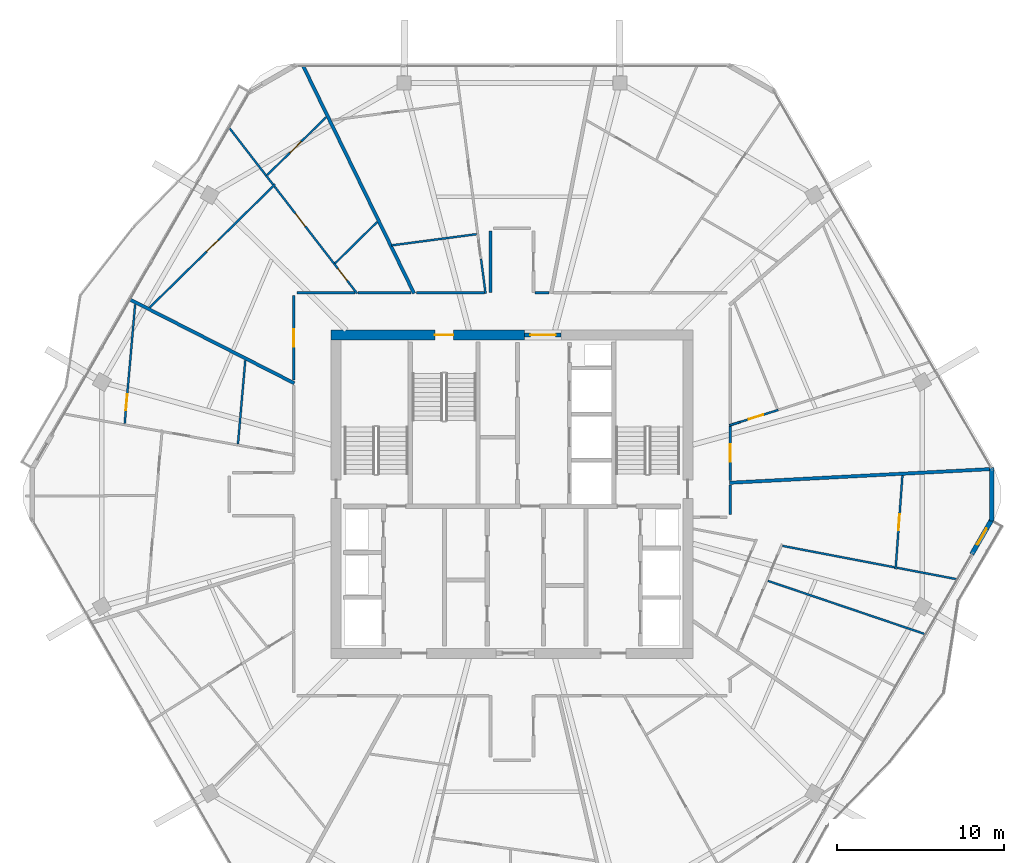
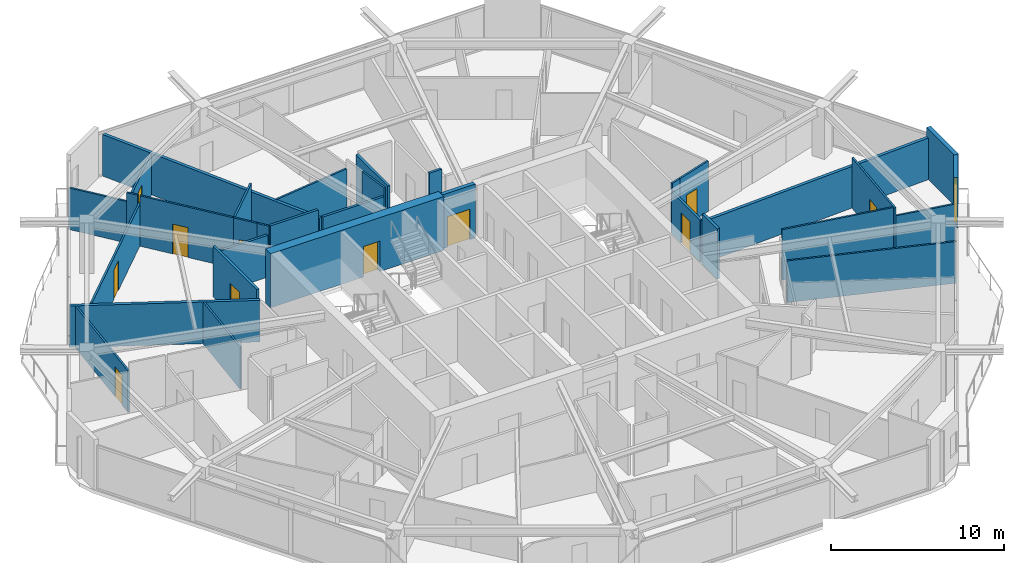
# One storey, part 21 of 26: 33 walls, 12 doors, 12 openings.
"""IFC4 building model written with IfcOpenShell, lengths in metres."""

from ifc_helpers import new_model, si_unit, direction, frame, frame_2d, origin, place, context, subcontext, project, spatial, rectangle, extrude, material, layer, layer_set, type_object, element, fill, save


model = new_model("IFC4")

# Units and contexts
model_context = context("Model", 3, precision=1e-05, world=origin(), true_north=direction((0.0, 1.0)))
body_context = subcontext(model_context, "Body", "Model", "MODEL_VIEW")
ifc_project = project(units=[si_unit("LENGTHUNIT", "METRE"), si_unit("AREAUNIT", "SQUARE_METRE"), si_unit("VOLUMEUNIT", "CUBIC_METRE"), si_unit("PLANEANGLEUNIT", "RADIAN"), si_unit("MASSUNIT", "GRAM", prefix="KILO")], contexts=[model_context])

# Site, building, storey
site_placement = place(None, origin())
site = spatial("IfcSite", under=ifc_project, at=site_placement, CompositionType="ELEMENT")
building_placement = place(site_placement, origin())
building = spatial("IfcBuilding", under=site, at=building_placement, Name="Zuhravey Tower", CompositionType="ELEMENT")
storey_placement = place(building_placement, frame((0.0, 0.0, 280.60009765625)))
storey = spatial("IfcBuildingStorey", under=building, at=storey_placement, Name="L71", CompositionType="ELEMENT", Elevation=280.60009765625)

# Wall, opening, door
ifc_material_1 = material(Name="Concrete C50/60", Category="concrete")
ifc_layer_1 = layer(ifc_material_1, 0.60009765625)
ifc_layer_set_1 = layer_set([ifc_layer_1], Name="Concrete C50/60")
wall_type_1 = type_object("IfcWallType", Name="Core Shear Wall 600", PredefinedType="SHEAR", material=ifc_layer_set_1)
wall_1_placement = place(storey_placement, frame((36.75, 41.5, 0.0), z_axis=(0.0, 0.0, 1.0), x_axis=(-1.0, 0.0, 0.0)))
wall_1 = element("IfcWall", 1, at=wall_1_placement, inside=storey, type_object=wall_type_1, Name="L71 North-West Core Shear Wall CW60", PredefinedType="SHEAR", context=body_context, shape_type="SweptSolid", body=[
    extrude(rectangle(XDim=11.550048828125, YDim=0.60009765625, at=frame_2d((5.77490234375, 0.0))), origin(), (0.0, 0.0, 1.0), 3.7998046875),
])
opening_1_placement = place(wall_1_placement, frame((4.25, 0.0, 0.0)))
opening_1 = element("IfcOpeningElement", 2, at=opening_1_placement, cuts=wall_1, Name="Opening STD1", PredefinedType="OPENING", context=body_context, shape_type="SweptSolid", body=[
    extrude(rectangle(XDim=1.10009765625, YDim=2.14990234375, at=frame_2d((0.550048828125, 1.074951171875))), frame((0.0, 0.31201171875, 0.0), z_axis=(0.0, -1.0, 0.0), x_axis=(1.0, 0.0, 0.0)), (0.0, 0.0, 1.0), 0.6240234375),
])
ifc_material_2 = material(Name="Galvanised fire-rated steel leaf", Category="steel")
door_type_1 = type_object("IfcDoorType", Name="Protected Stair Fire Door 1100x2150", OperationType="NOTDEFINED", PredefinedType="USERDEFINED", material=ifc_material_2)
door_1_placement = place(opening_1_placement, origin())
door_1 = element("IfcDoor", 3, at=door_1_placement, inside=storey, type_object=door_type_1, Name="L71 Stair ST3 Door", ObjectType="EXITDOOR", OperationType="SINGLE_SWING_LEFT", OverallHeight=2.14990234375, OverallWidth=1.10009765625, PredefinedType="USERDEFINED", context=body_context, shape_type="SweptSolid", body=[
    extrude(rectangle(XDim=1.10009765625, YDim=2.14990234375, at=frame_2d((0.550048828125, 1.074951171875))), frame((0.0, 0.02490234375, 0.0), z_axis=(0.0, -1.0, 0.0), x_axis=(1.0, 0.0, 0.0)), (0.0, 0.0, 1.0), 0.050048828125),
])
fill(opening_1, door_1)

ifc_material_3 = material(Name="Gypsum fire-rated stud partition")
ifc_layer_2 = layer(ifc_material_3, 0.159912109375)
ifc_layer_set_2 = layer_set([ifc_layer_2], Name="Gypsum fire-rated stud partition")
wall_type_2 = type_object("IfcWallType", Name="Corridor Fire Partition 160", PredefinedType="PARTITIONING", material=ifc_layer_set_2)
wall_2_placement = place(storey_placement, frame((49.030029296875, 32.81689453125, 0.0), z_axis=(0.0, 0.0, 1.0), x_axis=(0.0, 1.0, 0.0)))
wall_2 = element("IfcWall", 4, at=wall_2_placement, inside=storey, type_object=wall_type_2, Name="L71 IW16 Partition 050", PredefinedType="PARTITIONING", context=body_context, shape_type="SweptSolid", body=[
    extrude(rectangle(XDim=3.285400390625, YDim=0.159912109375, at=frame_2d((1.642578125, 0.0))), origin(), (0.0, 0.0, 1.0), 2.949951171875),
])
opening_2_placement = place(wall_2_placement, frame((1.11767578125, 0.0, 0.0)))
opening_2 = element("IfcOpeningElement", 5, at=opening_2_placement, cuts=wall_2, Name="Opening APD1", PredefinedType="OPENING", context=body_context, shape_type="SweptSolid", body=[
    extrude(rectangle(XDim=1.050048828125, YDim=2.14990234375, at=frame_2d((0.52490234375, 1.074951171875))), frame((0.0, 0.092041015625, 0.0), z_axis=(0.0, -1.0, 0.0), x_axis=(1.0, 0.0, 0.0)), (0.0, 0.0, 1.0), 0.183837890625),
])
ifc_material_4 = material(Name="Solid-core oak fire-rated leaf")
door_type_2 = type_object("IfcDoorType", Name="Apartment Entrance Fire Door 1050x2150", OperationType="NOTDEFINED", PredefinedType="DOOR", material=ifc_material_4)
door_2_placement = place(opening_2_placement, frame((1.050048828125, 0.0, 0.0), z_axis=(0.0, 0.0, 1.0), x_axis=(-1.0, 0.0, 0.0)))
door_2 = element("IfcDoor", 6, at=door_2_placement, inside=storey, type_object=door_type_2, Name="L71 Door 050.1", OperationType="SINGLE_SWING_LEFT", OverallHeight=2.14990234375, OverallWidth=1.050048828125, PredefinedType="DOOR", context=body_context, shape_type="SweptSolid", body=[
    extrude(rectangle(XDim=1.050048828125, YDim=2.14990234375, at=frame_2d((0.52490234375, 1.074951171875))), frame((0.0, 0.02490234375, 0.0), z_axis=(0.0, -1.0, 0.0), x_axis=(1.0, 0.0, 0.0)), (0.0, 0.0, 1.0), 0.050048828125),
])
fill(opening_2, door_2)

wall_3_placement = place(storey_placement, frame((22.969970703125, 43.85009765625, 0.0), z_axis=(0.0, 0.0, 1.0), x_axis=(0.0, -1.0, 0.0)))
wall_3 = element("IfcWall", 7, at=wall_3_placement, inside=storey, type_object=wall_type_2, Name="L71 IW16 Partition 065", PredefinedType="PARTITIONING", context=body_context, shape_type="SweptSolid", body=[
    extrude(rectangle(XDim=5.044677734375, YDim=0.159912109375, at=frame_2d((2.5224609375, 0.0))), origin(), (0.0, 0.0, 1.0), 3.5498046875),
])
opening_3_placement = place(wall_3_placement, frame((1.997314453125, 0.0, 0.0)))
opening_3 = element("IfcOpeningElement", 8, at=opening_3_placement, cuts=wall_3, Name="Opening APD1", PredefinedType="OPENING", context=body_context, shape_type="SweptSolid", body=[
    extrude(rectangle(XDim=1.050048828125, YDim=2.14990234375, at=frame_2d((0.52490234375, 1.074951171875))), frame((0.0, 0.092041015625, 0.0), z_axis=(0.0, -1.0, 0.0), x_axis=(1.0, 0.0, 0.0)), (0.0, 0.0, 1.0), 0.183837890625),
])
door_3_placement = place(opening_3_placement, frame((1.050048828125, 0.0, 0.0), z_axis=(0.0, 0.0, 1.0), x_axis=(-1.0, 0.0, 0.0)))
door_3 = element("IfcDoor", 9, at=door_3_placement, inside=storey, type_object=door_type_2, Name="L71 Door 065.1", OperationType="SINGLE_SWING_LEFT", OverallHeight=2.14990234375, OverallWidth=1.050048828125, PredefinedType="DOOR", context=body_context, shape_type="SweptSolid", body=[
    extrude(rectangle(XDim=1.050048828125, YDim=2.14990234375, at=frame_2d((0.52490234375, 1.074951171875))), frame((0.0, 0.02490234375, 0.0), z_axis=(0.0, -1.0, 0.0), x_axis=(1.0, 0.0, 0.0)), (0.0, 0.0, 1.0), 0.050048828125),
])
fill(opening_3, door_3)

# Walls
wall_4_placement = place(storey_placement, frame((49.030029296875, 30.80078125, 0.0), z_axis=(0.0, 0.0, 1.0), x_axis=(0.0, 1.0, 0.0)))
element("IfcWall", 10, at=wall_4_placement, inside=storey, type_object=wall_type_2, Name="L71 IW16 Partition 129", PredefinedType="PARTITIONING", context=body_context, shape_type="SweptSolid", body=[
    extrude(rectangle(XDim=1.748046875, YDim=0.159912109375, at=frame_2d((0.8740234375, 0.0))), origin(), (0.0, 0.0, 1.0), 3.5498046875),
])
wall_5_placement = place(storey_placement, frame((34.719970703125, 47.699951171875, 0.0), z_axis=(0.0, 0.0, 1.0), x_axis=(0.0, -1.0, 0.0)))
element("IfcWall", 11, at=wall_5_placement, inside=storey, type_object=wall_type_2, Name="L71 IW16 Partition 132", PredefinedType="PARTITIONING", context=body_context, shape_type="SweptSolid", body=[
    extrude(rectangle(XDim=3.669921875, YDim=0.159912109375, at=frame_2d((1.8349609375, 0.0))), origin(), (0.0, 0.0, 1.0), 3.5498046875),
])
wall_6_placement = place(storey_placement, frame((38.209228515625, 44.030029296875, 0.0), z_axis=(0.0, 0.0, 1.0), x_axis=(-1.0, 0.0, 0.0)))
element("IfcWall", 12, at=wall_6_placement, inside=storey, type_object=wall_type_2, Name="L71 IW16 Partition 134", PredefinedType="PARTITIONING", context=body_context, shape_type="SweptSolid", body=[
    extrude(rectangle(XDim=0.84130859375, YDim=0.159912109375, at=frame_2d((0.420654296875, 0.0))), origin(), (0.0, 0.0, 1.0), 3.5498046875),
])
wall_7_placement = place(storey_placement, frame((34.34765625, 44.030029296875, 0.0), z_axis=(0.0, 0.0, 1.0), x_axis=(-1.0, 0.0, 0.0)))
element("IfcWall", 13, at=wall_7_placement, inside=storey, type_object=wall_type_2, Name="L71 IW16 Partition 135", PredefinedType="PARTITIONING", context=body_context, shape_type="SweptSolid", body=[
    extrude(rectangle(XDim=4.0634765625, YDim=0.159912109375, at=frame_2d((2.03173828125, 0.0))), origin(), (0.0, 0.0, 1.0), 2.949951171875),
])
wall_8_placement = place(storey_placement, frame((26.629638671875, 44.030029296875, 0.0), z_axis=(0.0, 0.0, 1.0), x_axis=(-1.0, 0.0, 0.0)))
element("IfcWall", 14, at=wall_8_placement, inside=storey, type_object=wall_type_2, Name="L71 IW16 Partition 136", PredefinedType="PARTITIONING", context=body_context, shape_type="SweptSolid", body=[
    extrude(rectangle(XDim=3.479736328125, YDim=0.159912109375, at=frame_2d((1.73974609375, 0.0))), origin(), (0.0, 0.0, 1.0), 2.949951171875),
])
wall_9_placement = place(storey_placement, frame((29.979736328125, 44.030029296875, 0.0), z_axis=(0.0, 0.0, 1.0), x_axis=(-1.0, 0.0, 0.0)))
element("IfcWall", 15, at=wall_9_placement, inside=storey, type_object=wall_type_2, Name="L71 IW16 Partition 137", PredefinedType="PARTITIONING", context=body_context, shape_type="SweptSolid", body=[
    extrude(rectangle(XDim=3.17822265625, YDim=0.159912109375, at=frame_2d((1.589111328125, 0.0))), origin(), (0.0, 0.0, 1.0), 3.5498046875),
])

# Wall, opening, door
ifc_material_5 = material(Name="Precast concrete C40/50", Category="concrete")
ifc_layer_3 = layer(ifc_material_5, 0.280029296875)
ifc_layer_set_3 = layer_set([ifc_layer_3], Name="Precast concrete C40/50")
wall_type_3 = type_object("IfcWallType", Name="Crown Architectural Wall 280", PredefinedType="SOLIDWALL", material=ifc_layer_set_3)
wall_10_placement = place(storey_placement, frame((64.66748046875, 30.526611328125, 0.0), z_axis=(0.0, 0.0, 1.0), x_axis=(-0.499959183527, -0.866048967903, 0.0)))
wall_10 = element("IfcWall", 16, at=wall_10_placement, inside=storey, type_object=wall_type_3, Name="L71 Face 6 Facade Pier EW28-1", PredefinedType="SOLIDWALL", context=body_context, shape_type="SweptSolid", body=[
    extrude(rectangle(XDim=2.440185546875, YDim=0.280029296875, at=frame_2d((1.22021484375, 0.0))), origin(), (0.0, 0.0, 1.0), 3.5498046875),
])
opening_4_placement = place(wall_10_placement, frame((0.669921875, 0.0, 0.0)))
opening_4 = element("IfcOpeningElement", 17, at=opening_4_placement, cuts=wall_10, Name="Opening BLD1", PredefinedType="OPENING", context=body_context, shape_type="SweptSolid", body=[
    extrude(rectangle(XDim=1.10009765625, YDim=2.199951171875, at=frame_2d((0.550048828125, 1.10009765625))), frame((0.0, 0.152099609375, 0.0), z_axis=(0.0, -1.0, 0.0), x_axis=(1.0, 0.0, 0.0)), (0.0, 0.0, 1.0), 0.303955078125),
])
ifc_material_6 = material(Name="Thermally broken aluminium and low-E glass", Category="aluminium")
door_type_3 = type_object("IfcDoorType", Name="Balcony & Sky-Tray Glazed Door 1100x2200", OperationType="NOTDEFINED", PredefinedType="DOOR", material=ifc_material_6)
door_4_placement = place(opening_4_placement, frame((1.10009765625, 0.0, 0.0), z_axis=(0.0, 0.0, 1.0), x_axis=(-1.0, 0.0, 0.0)))
door_4 = element("IfcDoor", 18, at=door_4_placement, inside=storey, type_object=door_type_3, Name="L71 Face 6 Wave Balcony Door", OperationType="SINGLE_SWING_LEFT", OverallHeight=2.199951171875, OverallWidth=1.10009765625, PredefinedType="DOOR", context=body_context, shape_type="SweptSolid", body=[
    extrude(rectangle(XDim=1.10009765625, YDim=2.199951171875, at=frame_2d((0.550048828125, 1.10009765625))), frame((0.0, 0.02490234375, 0.0), z_axis=(0.0, -1.0, 0.0), x_axis=(1.0, 0.0, 0.0)), (0.0, 0.0, 1.0), 0.050048828125),
])
fill(opening_4, door_4)

# Wall
wall_11_placement = place(storey_placement, frame((64.64501953125, 33.607421875, 0.0), z_axis=(0.0, 0.0, 1.0), x_axis=(0.0, -1.0, 0.0)))
element("IfcWall", 19, at=wall_11_placement, inside=storey, type_object=wall_type_3, Name="L71 Rounded Corner Closure Wall EW28-12", PredefinedType="SOLIDWALL", context=body_context, shape_type="SweptSolid", body=[
    extrude(rectangle(XDim=3.21484375, YDim=0.280029296875, at=frame_2d((1.607421875, 0.0))), origin(), (0.0, 0.0, 1.0), 3.5498046875),
])

# Wall, opening, door
ifc_layer_4 = layer(ifc_material_1, 0.25)
ifc_layer_set_4 = layer_set([ifc_layer_4], Name="Concrete C50/60")
wall_type_4 = type_object("IfcWallType", Name="Firefighting Shaft & Stair Wall 250", PredefinedType="SOLIDWALL", material=ifc_layer_set_4)
wall_12_placement = place(storey_placement, frame((36.760009765625, 41.5, 0.0), z_axis=(0.0, 0.0, 1.0), x_axis=(1.0, 0.0, 0.0)))
wall_12 = element("IfcWall", 20, at=wall_12_placement, inside=storey, type_object=wall_type_4, Name="L71 FW25 Shaft Wall 002", PredefinedType="SOLIDWALL", context=body_context, shape_type="SweptSolid", body=[
    extrude(rectangle(XDim=2.179931640625, YDim=0.25, at=frame_2d((1.08984375, 0.0))), origin(), (0.0, 0.0, 1.0), 3.7998046875),
])
opening_5_placement = place(wall_12_placement, frame((0.340087890625, 0.0, 0.0)))
opening_5 = element("IfcOpeningElement", 21, at=opening_5_placement, cuts=wall_12, Name="Opening FFD1", PredefinedType="OPENING", context=body_context, shape_type="SweptSolid", body=[
    extrude(rectangle(XDim=1.5, YDim=2.14990234375, at=frame_2d((0.75, 1.074951171875))), frame((0.0, 0.136962890625, 0.0), z_axis=(0.0, -1.0, 0.0), x_axis=(1.0, 0.0, 0.0)), (0.0, 0.0, 1.0), 0.27392578125),
])
door_type_4 = type_object("IfcDoorType", Name="Firefighting Lobby Double Door 1500x2150", OperationType="DOUBLE_DOOR_SINGLE_SWING", PredefinedType="DOOR", material=ifc_material_2)
door_5_placement = place(opening_5_placement, origin())
door_5 = element("IfcDoor", 22, at=door_5_placement, inside=storey, type_object=door_type_4, Name="L71 North Lift Lobby Exit Door", OperationType="DOUBLE_DOOR_SINGLE_SWING", OverallHeight=2.14990234375, OverallWidth=1.5, PredefinedType="DOOR", context=body_context, shape_type="SweptSolid", body=[
    extrude(rectangle(XDim=1.5, YDim=2.14990234375, at=frame_2d((0.75, 1.074951171875))), frame((0.0, 0.02490234375, 0.0), z_axis=(0.0, -1.0, 0.0), x_axis=(1.0, 0.0, 0.0)), (0.0, 0.0, 1.0), 0.050048828125),
])
fill(opening_5, door_5)

# Walls
ifc_material_7 = material(Name="Gypsum double-stud party assembly")
ifc_layer_5 = layer(ifc_material_7, 0.199951171875)
ifc_layer_set_5 = layer_set([ifc_layer_5], Name="Gypsum double-stud party assembly")
wall_type_5 = type_object("IfcWallType", Name="Inter-Tenancy Party Wall 200", PredefinedType="PARTITIONING", material=ifc_layer_set_5)
wall_13_placement = place(storey_placement, frame((23.010009765625, 38.61865234375, 0.0), z_axis=(0.0, 0.0, 1.0), x_axis=(-0.891002805017, 0.453997798951, 0.0)))
element("IfcWall", 23, at=wall_13_placement, inside=storey, type_object=wall_type_5, Name="L71 IW20 Partition 070", PredefinedType="PARTITIONING", context=body_context, shape_type="SweptSolid", body=[
    extrude(rectangle(XDim=11.019775390625, YDim=0.199951171875, at=frame_2d((5.509765625, 0.0))), origin(), (0.0, 0.0, 1.0), 2.929931640625),
])
wall_14_placement = place(storey_placement, frame((48.989990234375, 32.680908203125, 0.0), z_axis=(0.0, 0.0, 1.0), x_axis=(0.998629458789, 0.052337405734, 0.0)))
element("IfcWall", 24, at=wall_14_placement, inside=storey, type_object=wall_type_5, Name="L71 IW20 Partition 098", PredefinedType="PARTITIONING", context=body_context, shape_type="SweptSolid", body=[
    extrude(rectangle(XDim=15.682861328125, YDim=0.199951171875, at=frame_2d((7.84130859375, 0.0))), origin(), (0.0, 0.0, 1.0), 2.929931640625),
])
wall_15_placement = place(storey_placement, frame((30.152099609375, 43.989990234375, 0.0), z_axis=(0.0, 0.0, 1.0), x_axis=(-0.438371715405, 0.898793768967, 0.0)))
element("IfcWall", 25, at=wall_15_placement, inside=storey, type_object=wall_type_5, Name="L71 IW20 Partition 110", PredefinedType="PARTITIONING", context=body_context, shape_type="SweptSolid", body=[
    extrude(rectangle(XDim=15.10205078125, YDim=0.199951171875, at=frame_2d((7.551025390625, 0.0))), origin(), (0.0, 0.0, 1.0), 2.929931640625),
])

# Wall, opening, door
ifc_material_8 = material(Name="Gypsum metal-stud partition")
ifc_layer_6 = layer(ifc_material_8, 0.1201171875)
ifc_layer_set_6 = layer_set([ifc_layer_6], Name="Gypsum metal-stud partition")
wall_type_6 = type_object("IfcWallType", Name="Unit Internal Partition 120", PredefinedType="PARTITIONING", material=ifc_layer_set_6)
wall_16_placement = place(storey_placement, frame((13.49951171875, 43.330078125, 0.0), z_axis=(0.0, 0.0, 1.0), x_axis=(-0.087173732825, -0.996193124, 0.0)))
wall_16 = element("IfcWall", 26, at=wall_16_placement, inside=storey, type_object=wall_type_6, Name="L71 IW12 Partition 025", PredefinedType="PARTITIONING", context=body_context, shape_type="SweptSolid", body=[
    extrude(rectangle(XDim=7.144287109375, YDim=0.1201171875, at=frame_2d((3.572265625, 0.0))), origin(), (0.0, 0.0, 1.0), 2.929931640625),
])
opening_6_placement = place(wall_16_placement, frame((5.381591796875, 0.0, 0.0)))
opening_6 = element("IfcOpeningElement", 27, at=opening_6_placement, cuts=wall_16, Name="Opening IND1", PredefinedType="OPENING", context=body_context, shape_type="SweptSolid", body=[
    extrude(rectangle(XDim=0.949951171875, YDim=2.10009765625, at=frame_2d((0.47509765625, 1.050048828125))), frame((0.0, 0.072021484375, 0.0), z_axis=(0.0, -1.0, 0.0), x_axis=(1.0, 0.0, 0.0)), (0.0, 0.0, 1.0), 0.14404296875),
])
ifc_material_9 = material(Name="Painted engineered timber leaf", Category="wood")
door_type_5 = type_object("IfcDoorType", Name="Internal Room & Bedroom Door 950x2100", OperationType="NOTDEFINED", PredefinedType="DOOR", material=ifc_material_9)
door_6_placement = place(opening_6_placement, frame((0.949951171875, 0.0, 0.0), z_axis=(0.0, 0.0, 1.0), x_axis=(-1.0, 0.0, 0.0)))
door_6 = element("IfcDoor", 28, at=door_6_placement, inside=storey, type_object=door_type_5, Name="Apartment L71-01 Bedroom 1 Door", OperationType="SINGLE_SWING_LEFT", OverallHeight=2.10009765625, OverallWidth=0.949951171875, PredefinedType="DOOR", context=body_context, shape_type="SweptSolid", body=[
    extrude(rectangle(XDim=0.949951171875, YDim=2.10009765625, at=frame_2d((0.47509765625, 1.050048828125))), frame((0.0, 0.02490234375, 0.0), z_axis=(0.0, -1.0, 0.0), x_axis=(1.0, 0.0, 0.0)), (0.0, 0.0, 1.0), 0.050048828125),
])
fill(opening_6, door_6)

wall_17_placement = place(storey_placement, frame((58.902587890625, 27.52099609375, 0.0), z_axis=(0.0, 0.0, 1.0), x_axis=(0.072523893028, 0.99736667527, 0.0)))
wall_17 = element("IfcWall", 29, at=wall_17_placement, inside=storey, type_object=wall_type_6, Name="L71 IW12 Partition 043", PredefinedType="PARTITIONING", context=body_context, shape_type="SweptSolid", body=[
    extrude(rectangle(XDim=5.61181640625, YDim=0.1201171875, at=frame_2d((2.805908203125, 0.0))), origin(), (0.0, 0.0, 1.0), 3.5498046875),
])
opening_7_placement = place(wall_17_placement, frame((2.330810546875, 0.0, 0.0)))
opening_7 = element("IfcOpeningElement", 30, at=opening_7_placement, cuts=wall_17, Name="Opening IND1", PredefinedType="OPENING", context=body_context, shape_type="SweptSolid", body=[
    extrude(rectangle(XDim=0.949951171875, YDim=2.10009765625, at=frame_2d((0.47509765625, 1.050048828125))), frame((0.0, 0.072021484375, 0.0), z_axis=(0.0, -1.0, 0.0), x_axis=(1.0, 0.0, 0.0)), (0.0, 0.0, 1.0), 0.14404296875),
])
door_7_placement = place(opening_7_placement, frame((0.949951171875, 0.0, 0.0), z_axis=(0.0, 0.0, 1.0), x_axis=(-1.0, 0.0, 0.0)))
door_7 = element("IfcDoor", 31, at=door_7_placement, inside=storey, type_object=door_type_5, Name="Apartment L71-05 Family Study Door", OperationType="SINGLE_SWING_LEFT", OverallHeight=2.10009765625, OverallWidth=0.949951171875, PredefinedType="DOOR", context=body_context, shape_type="SweptSolid", body=[
    extrude(rectangle(XDim=0.949951171875, YDim=2.10009765625, at=frame_2d((0.47509765625, 1.050048828125))), frame((0.0, 0.02490234375, 0.0), z_axis=(0.0, -1.0, 0.0), x_axis=(1.0, 0.0, 0.0)), (0.0, 0.0, 1.0), 0.050048828125),
])
fill(opening_7, door_7)

wall_18_placement = place(storey_placement, frame((49.60009765625, 36.3037109375, 0.0), z_axis=(0.0, 0.0, 1.0), x_axis=(0.953397144665, 0.301718220439, 0.0)))
wall_18 = element("IfcWall", 32, at=wall_18_placement, inside=storey, type_object=wall_type_6, Name="L71 IW12 Partition 047", PredefinedType="PARTITIONING", context=body_context, shape_type="SweptSolid", body=[
    extrude(rectangle(XDim=2.408935546875, YDim=0.1201171875, at=frame_2d((1.20458984375, 0.0))), origin(), (0.0, 0.0, 1.0), 3.5498046875),
])
opening_8_placement = place(wall_18_placement, frame((0.561767578125, 0.0, 0.0)))
opening_8 = element("IfcOpeningElement", 33, at=opening_8_placement, cuts=wall_18, Name="Opening WCD1", PredefinedType="OPENING", context=body_context, shape_type="SweptSolid", body=[
    extrude(rectangle(XDim=0.89990234375, YDim=2.10009765625, at=frame_2d((0.449951171875, 1.050048828125))), frame((0.0, 0.072021484375, 0.0), z_axis=(0.0, -1.0, 0.0), x_axis=(1.0, 0.0, 0.0)), (0.0, 0.0, 1.0), 0.14404296875),
])
ifc_material_10 = material(Name="Moisture-resistant timber leaf", Category="wood")
door_type_6 = type_object("IfcDoorType", Name="Bathroom & WC Internal Door 900x2100", OperationType="NOTDEFINED", PredefinedType="DOOR", material=ifc_material_10)
door_8_placement = place(opening_8_placement, origin())
door_8 = element("IfcDoor", 34, at=door_8_placement, inside=storey, type_object=door_type_6, Name="Apartment L71-06 Bathroom Door", OperationType="SINGLE_SWING_RIGHT", OverallHeight=2.10009765625, OverallWidth=0.89990234375, PredefinedType="DOOR", context=body_context, shape_type="SweptSolid", body=[
    extrude(rectangle(XDim=0.89990234375, YDim=2.10009765625, at=frame_2d((0.449951171875, 1.050048828125))), frame((0.0, 0.02490234375, 0.0), z_axis=(0.0, -1.0, 0.0), x_axis=(1.0, 0.0, 0.0)), (0.0, 0.0, 1.0), 0.050048828125),
])
fill(opening_8, door_8)

wall_19_placement = place(storey_placement, frame((21.851318359375, 50.49609375, 0.0), z_axis=(0.0, 0.0, 1.0), x_axis=(-0.713249440672, -0.700910290537, 0.0)))
wall_19 = element("IfcWall", 35, at=wall_19_placement, inside=storey, type_object=wall_type_6, Name="L71 IW12 Partition 060", PredefinedType="PARTITIONING", context=body_context, shape_type="SweptSolid", body=[
    extrude(rectangle(XDim=10.486572265625, YDim=0.1201171875, at=frame_2d((5.2431640625, 0.0))), origin(), (0.0, 0.0, 1.0), 2.949951171875),
])
opening_9_placement = place(wall_19_placement, frame((4.768310546875, 0.0, 0.0)))
opening_9 = element("IfcOpeningElement", 36, at=opening_9_placement, cuts=wall_19, Name="Opening IND1", PredefinedType="OPENING", context=body_context, shape_type="SweptSolid", body=[
    extrude(rectangle(XDim=0.949951171875, YDim=2.10009765625, at=frame_2d((0.47509765625, 1.050048828125))), frame((0.0, 0.072021484375, 0.0), z_axis=(0.0, -1.0, 0.0), x_axis=(1.0, 0.0, 0.0)), (0.0, 0.0, 1.0), 0.14404296875),
])
door_9_placement = place(opening_9_placement, frame((0.949951171875, 0.0, 0.0), z_axis=(0.0, 0.0, 1.0), x_axis=(-1.0, 0.0, 0.0)))
door_9 = element("IfcDoor", 37, at=door_9_placement, inside=storey, type_object=door_type_5, Name="Apartment L71-09 Family Study Door", OperationType="SINGLE_SWING_LEFT", OverallHeight=2.10009765625, OverallWidth=0.949951171875, PredefinedType="DOOR", context=body_context, shape_type="SweptSolid", body=[
    extrude(rectangle(XDim=0.949951171875, YDim=2.10009765625, at=frame_2d((0.47509765625, 1.050048828125))), frame((0.0, 0.02490234375, 0.0), z_axis=(0.0, -1.0, 0.0), x_axis=(1.0, 0.0, 0.0)), (0.0, 0.0, 1.0), 0.050048828125),
])
fill(opening_9, door_9)

wall_20_placement = place(storey_placement, frame((26.275634765625, 44.60009765625, 0.0), z_axis=(0.0, 0.0, 1.0), x_axis=(-0.611021070932, 0.791614332158, 0.0)))
wall_20 = element("IfcWall", 38, at=wall_20_placement, inside=storey, type_object=wall_type_6, Name="L71 IW12 Partition 061", PredefinedType="PARTITIONING", context=body_context, shape_type="SweptSolid", body=[
    extrude(rectangle(XDim=1.466796875, YDim=0.1201171875, at=frame_2d((0.7333984375, 0.0))), origin(), (0.0, 0.0, 1.0), 3.5498046875),
])
opening_10_placement = place(wall_20_placement, frame((0.199951171875, 0.0, 0.0)))
opening_10 = element("IfcOpeningElement", 39, at=opening_10_placement, cuts=wall_20, Name="Opening WCD1", PredefinedType="OPENING", context=body_context, shape_type="SweptSolid", body=[
    extrude(rectangle(XDim=0.89990234375, YDim=2.10009765625, at=frame_2d((0.449951171875, 1.050048828125))), frame((0.0, 0.072021484375, 0.0), z_axis=(0.0, -1.0, 0.0), x_axis=(1.0, 0.0, 0.0)), (0.0, 0.0, 1.0), 0.14404296875),
])
door_10_placement = place(opening_10_placement, frame((0.89990234375, 0.0, 0.0), z_axis=(0.0, 0.0, 1.0), x_axis=(-1.0, 0.0, 0.0)))
door_10 = element("IfcDoor", 40, at=door_10_placement, inside=storey, type_object=door_type_6, Name="Apartment L71-09 Bathroom Door", OperationType="SINGLE_SWING_RIGHT", OverallHeight=2.10009765625, OverallWidth=0.89990234375, PredefinedType="DOOR", context=body_context, shape_type="SweptSolid", body=[
    extrude(rectangle(XDim=0.89990234375, YDim=2.10009765625, at=frame_2d((0.449951171875, 1.050048828125))), frame((0.0, 0.02490234375, 0.0), z_axis=(0.0, -1.0, 0.0), x_axis=(1.0, 0.0, 0.0)), (0.0, 0.0, 1.0), 0.050048828125),
])
fill(opening_10, door_10)

wall_21_placement = place(storey_placement, frame((25.37939453125, 45.76123046875, 0.0), z_axis=(0.0, 0.0, 1.0), x_axis=(-0.610990418686, 0.791637990671, 0.0)))
wall_21 = element("IfcWall", 41, at=wall_21_placement, inside=storey, type_object=wall_type_6, Name="L71 IW12 Partition 062", PredefinedType="PARTITIONING", context=body_context, shape_type="SweptSolid", body=[
    extrude(rectangle(XDim=5.823486328125, YDim=0.1201171875, at=frame_2d((2.91162109375, 0.0))), origin(), (0.0, 0.0, 1.0), 3.5498046875),
])
opening_11_placement = place(wall_21_placement, frame((2.822998046875, 0.0, 0.0)))
opening_11 = element("IfcOpeningElement", 42, at=opening_11_placement, cuts=wall_21, Name="Opening IND1", PredefinedType="OPENING", context=body_context, shape_type="SweptSolid", body=[
    extrude(rectangle(XDim=0.949951171875, YDim=2.10009765625, at=frame_2d((0.47509765625, 1.050048828125))), frame((0.0, 0.072021484375, 0.0), z_axis=(0.0, -1.0, 0.0), x_axis=(1.0, 0.0, 0.0)), (0.0, 0.0, 1.0), 0.14404296875),
])
door_11_placement = place(opening_11_placement, frame((0.949951171875, 0.0, 0.0), z_axis=(0.0, 0.0, 1.0), x_axis=(-1.0, 0.0, 0.0)))
door_11 = element("IfcDoor", 43, at=door_11_placement, inside=storey, type_object=door_type_5, Name="Apartment L71-09 Home Office Door", OperationType="SINGLE_SWING_LEFT", OverallHeight=2.10009765625, OverallWidth=0.949951171875, PredefinedType="DOOR", context=body_context, shape_type="SweptSolid", body=[
    extrude(rectangle(XDim=0.949951171875, YDim=2.10009765625, at=frame_2d((0.47509765625, 1.050048828125))), frame((0.0, 0.02490234375, 0.0), z_axis=(0.0, -1.0, 0.0), x_axis=(1.0, 0.0, 0.0)), (0.0, 0.0, 1.0), 0.050048828125),
])
fill(opening_11, door_11)

# Wall
wall_22_placement = place(storey_placement, frame((21.73779296875, 50.47998046875, 0.0), z_axis=(0.0, 0.0, 1.0), x_axis=(-0.611052177593, 0.791590320973, 0.0)))
element("IfcWall", 44, at=wall_22_placement, inside=storey, type_object=wall_type_6, Name="L71 IW12 Partition 063", PredefinedType="PARTITIONING", context=body_context, shape_type="SweptSolid", body=[
    extrude(rectangle(XDim=0.685546875, YDim=0.1201171875, at=frame_2d((0.3427734375, 0.0))), origin(), (0.0, 0.0, 1.0), 3.5498046875),
])

# Wall, opening, door
wall_23_placement = place(storey_placement, frame((24.8935546875, 54.500244140625, 0.0), z_axis=(0.0, 0.0, 1.0), x_axis=(-0.713280305257, -0.700878881214, 0.0)))
wall_23 = element("IfcWall", 45, at=wall_23_placement, inside=storey, type_object=wall_type_6, Name="L71 IW12 Partition 064", PredefinedType="PARTITIONING", context=body_context, shape_type="SweptSolid", body=[
    extrude(rectangle(XDim=4.921630859375, YDim=0.1201171875, at=frame_2d((2.4609375, 0.0))), origin(), (0.0, 0.0, 1.0), 2.929931640625),
])
opening_12_placement = place(wall_23_placement, frame((2.0703125, 0.0, 0.0)))
opening_12 = element("IfcOpeningElement", 46, at=opening_12_placement, cuts=wall_23, Name="Opening IND1", PredefinedType="OPENING", context=body_context, shape_type="SweptSolid", body=[
    extrude(rectangle(XDim=0.949951171875, YDim=2.10009765625, at=frame_2d((0.47509765625, 1.050048828125))), frame((0.0, 0.072021484375, 0.0), z_axis=(0.0, -1.0, 0.0), x_axis=(1.0, 0.0, 0.0)), (0.0, 0.0, 1.0), 0.14404296875),
])
door_12_placement = place(opening_12_placement, frame((0.949951171875, 0.0, 0.0), z_axis=(0.0, 0.0, 1.0), x_axis=(-1.0, 0.0, 0.0)))
door_12 = element("IfcDoor", 47, at=door_12_placement, inside=storey, type_object=door_type_5, Name="Apartment L71-09 Bedroom 1 Door", OperationType="SINGLE_SWING_RIGHT", OverallHeight=2.10009765625, OverallWidth=0.949951171875, PredefinedType="DOOR", context=body_context, shape_type="SweptSolid", body=[
    extrude(rectangle(XDim=0.949951171875, YDim=2.10009765625, at=frame_2d((0.47509765625, 1.050048828125))), frame((0.0, 0.02490234375, 0.0), z_axis=(0.0, -1.0, 0.0), x_axis=(1.0, 0.0, 0.0)), (0.0, 0.0, 1.0), 0.050048828125),
])
fill(opening_12, door_12)

# Walls
wall_24_placement = place(storey_placement, frame((20.076904296875, 39.9921875, 0.0), z_axis=(0.0, 0.0, 1.0), x_axis=(-0.087174203927, -0.996193082775, 0.0)))
element("IfcWall", 48, at=wall_24_placement, inside=storey, type_object=wall_type_6, Name="L71 IW12 Partition 074", PredefinedType="PARTITIONING", context=body_context, shape_type="SweptSolid", body=[
    extrude(rectangle(XDim=5.01025390625, YDim=0.1201171875, at=frame_2d((2.505126953125, 0.0))), origin(), (0.0, 0.0, 1.0), 2.949951171875),
])
wall_25_placement = place(storey_placement, frame((51.28466796875, 26.822509765625, 0.0), z_axis=(0.0, 0.0, 1.0), x_axis=(0.947134584663, -0.320836529302, 0.0)))
element("IfcWall", 49, at=wall_25_placement, inside=storey, type_object=wall_type_6, Name="L71 IW12 Partition 094", PredefinedType="PARTITIONING", context=body_context, shape_type="SweptSolid", body=[
    extrude(rectangle(XDim=9.940185546875, YDim=0.1201171875, at=frame_2d((4.97021484375, 0.0))), origin(), (0.0, 0.0, 1.0), 2.929931640625),
])
wall_26_placement = place(storey_placement, frame((52.156982421875, 28.912109375, 0.0), z_axis=(0.0, 0.0, 1.0), x_axis=(0.982220961198, -0.187728483144, 0.0)))
element("IfcWall", 50, at=wall_26_placement, inside=storey, type_object=wall_type_6, Name="L71 IW12 Partition 096", PredefinedType="PARTITIONING", context=body_context, shape_type="SweptSolid", body=[
    extrude(rectangle(XDim=6.806884765625, YDim=0.1201171875, at=frame_2d((3.4033203125, 0.0))), origin(), (0.0, 0.0, 1.0), 3.5498046875),
])
wall_27_placement = place(storey_placement, frame((58.97705078125, 27.608642578125, 0.0), z_axis=(0.0, 0.0, 1.0), x_axis=(0.982222884099, -0.187718421986, 0.0)))
element("IfcWall", 51, at=wall_27_placement, inside=storey, type_object=wall_type_6, Name="L71 IW12 Partition 097", PredefinedType="PARTITIONING", context=body_context, shape_type="SweptSolid", body=[
    extrude(rectangle(XDim=3.681884765625, YDim=0.1201171875, at=frame_2d((1.8408203125, 0.0))), origin(), (0.0, 0.0, 1.0), 2.929931640625),
])
wall_28_placement = place(storey_placement, frame((48.986083984375, 36.109619140625, 0.0), z_axis=(0.0, 0.0, 1.0), x_axis=(0.953496678804, 0.301403522723, 0.0)))
element("IfcWall", 52, at=wall_28_placement, inside=storey, type_object=wall_type_6, Name="L71 IW12 Partition 099", PredefinedType="PARTITIONING", context=body_context, shape_type="SweptSolid", body=[
    extrude(rectangle(XDim=0.64404296875, YDim=0.1201171875, at=frame_2d((0.322021484375, 0.0))), origin(), (0.0, 0.0, 1.0), 3.5498046875),
])
wall_29_placement = place(storey_placement, frame((34.422119140625, 43.985107421875, 0.0), z_axis=(0.0, 0.0, 1.0), x_axis=(-0.13057568554, 0.991438344198, 0.0)))
element("IfcWall", 53, at=wall_29_placement, inside=storey, type_object=wall_type_6, Name="L71 IW12 Partition 107", PredefinedType="PARTITIONING", context=body_context, shape_type="SweptSolid", body=[
    extrude(rectangle(XDim=2.084716796875, YDim=0.1201171875, at=frame_2d((1.04248046875, 0.0))), origin(), (0.0, 0.0, 1.0), 3.5498046875),
])
wall_30_placement = place(storey_placement, frame((33.8876953125, 47.523193359375, 0.0), z_axis=(0.0, 0.0, 1.0), x_axis=(-0.991446514555, -0.130513634444, 0.0)))
element("IfcWall", 54, at=wall_30_placement, inside=storey, type_object=wall_type_6, Name="L71 IW12 Partition 109", PredefinedType="PARTITIONING", context=body_context, shape_type="SweptSolid", body=[
    extrude(rectangle(XDim=5.12744140625, YDim=0.1201171875, at=frame_2d((2.563720703125, 0.0))), origin(), (0.0, 0.0, 1.0), 2.949951171875),
])
wall_31_placement = place(storey_placement, frame((26.750244140625, 43.985107421875, 0.0), z_axis=(0.0, 0.0, 1.0), x_axis=(-0.610955434965, 0.79166499006, 0.0)))
element("IfcWall", 55, at=wall_31_placement, inside=storey, type_object=wall_type_6, Name="L71 IW12 Partition 111", PredefinedType="PARTITIONING", context=body_context, shape_type="SweptSolid", body=[
    extrude(rectangle(XDim=0.77685546875, YDim=0.1201171875, at=frame_2d((0.388427734375, 0.0))), origin(), (0.0, 0.0, 1.0), 3.5498046875),
])
wall_32_placement = place(storey_placement, frame((21.31884765625, 51.022705078125, 0.0), z_axis=(0.0, 0.0, 1.0), x_axis=(-0.610999451225, 0.791631019227, 0.0)))
element("IfcWall", 56, at=wall_32_placement, inside=storey, type_object=wall_type_6, Name="L71 IW12 Partition 112", PredefinedType="PARTITIONING", context=body_context, shape_type="SweptSolid", body=[
    extrude(rectangle(XDim=3.6142578125, YDim=0.1201171875, at=frame_2d((1.80712890625, 0.0))), origin(), (0.0, 0.0, 1.0), 2.929931640625),
])
wall_33_placement = place(storey_placement, frame((27.951904296875, 48.25439453125, 0.0), z_axis=(0.0, 0.0, 1.0), x_axis=(-0.713223784255, -0.700936397666, 0.0)))
element("IfcWall", 57, at=wall_33_placement, inside=storey, type_object=wall_type_6, Name="L71 IW12 Partition 113", PredefinedType="PARTITIONING", context=body_context, shape_type="SweptSolid", body=[
    extrude(rectangle(XDim=3.516845703125, YDim=0.1201171875, at=frame_2d((1.75830078125, 0.0))), origin(), (0.0, 0.0, 1.0), 3.5498046875),
])

save(model, "model.ifc")
